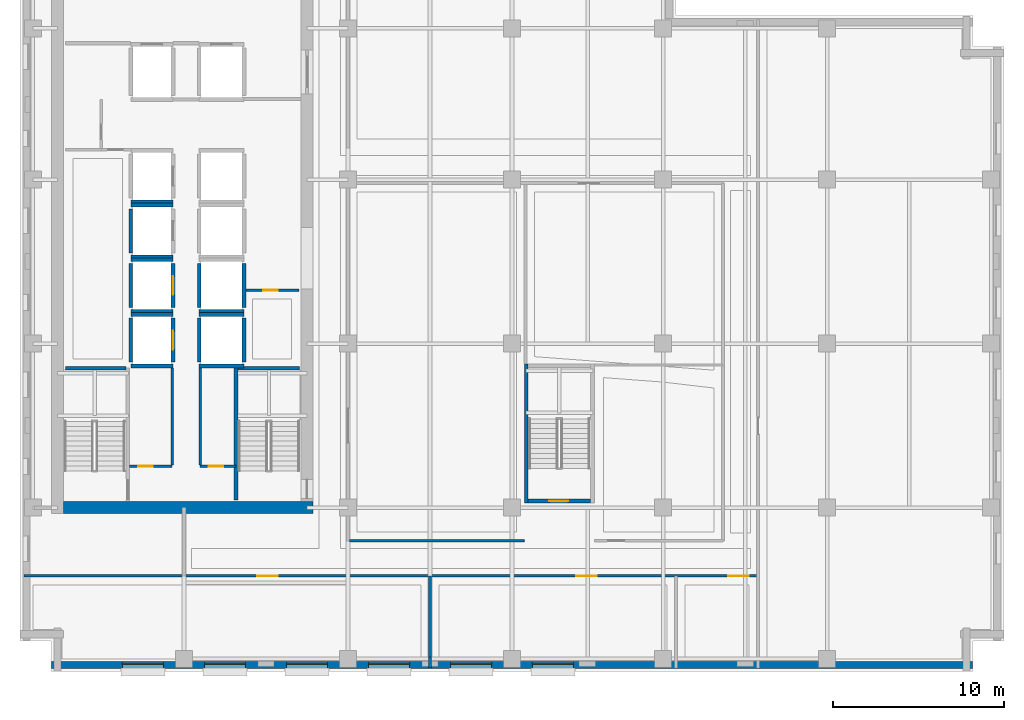
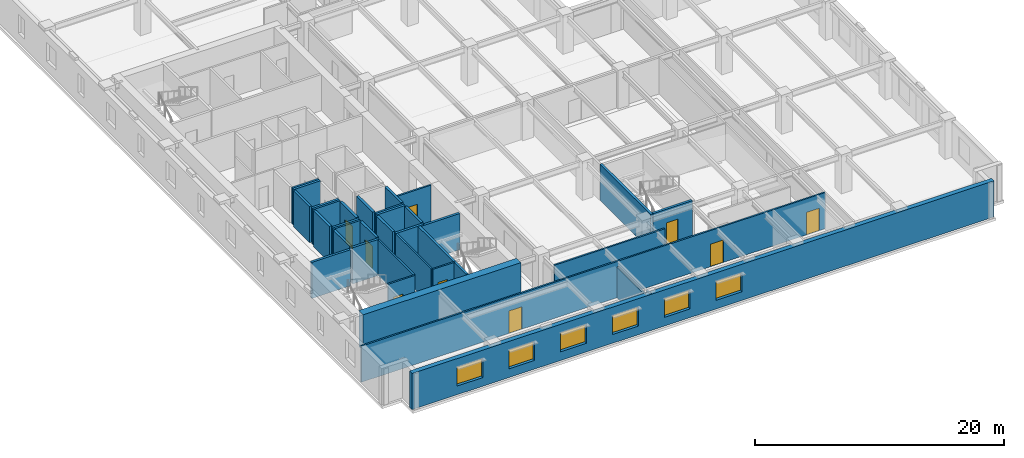
# One storey, part 4 of 12: 35 walls, 9 doors, 6 windows, 15 openings.
"""IFC4 building model written with IfcOpenShell, lengths in metres."""

import ifcopenshell
import ifcopenshell.guid

model = None  # the IFC model being written
_history = None  # IfcOwnerHistory: only IFC2X3 demands one
_inside = {}  # id of a spatial element -> (the spatial element, [elements in it])
_under = {}  # id of a project, library or spatial element -> (it, [spatial elements below it])
_declared = {}  # id of a project -> (the project, [libraries it declares])
_typed = {}  # id of a type object -> (the type object, [elements of that type])
_made_of = {}  # id of a material, layer set ... -> (it, [elements and type objects made of it])


def new_model(schema):
    """Start an empty IFC model of exactly this schema.

    Asked for "IFC4X3", IfcOpenShell would pick the latest addendum, in which some entities
    have other attributes; the version numbers below select the first issue.
    IFC2X3 requires an IfcOwnerHistory on every rooted entity: one is made here for all.
    """
    global model, _history
    if schema == "IFC4X3":
        model = ifcopenshell.file(schema_version=(4, 3, 0, 0))
    else:
        model = ifcopenshell.file(schema=schema)
    _inside.clear()
    _under.clear()
    _declared.clear()
    _typed.clear()
    _made_of.clear()
    _history = None
    if model.schema == "IFC2X3":
        org = make("IfcOrganization", Name="unknown")
        user = make(
            "IfcPersonAndOrganization",
            ThePerson=make("IfcPerson", FamilyName="unknown"),
            TheOrganization=org,
        )
        app = make(
            "IfcApplication",
            ApplicationDeveloper=org,
            Version="unknown",
            ApplicationFullName="unknown",
            ApplicationIdentifier="unknown",
        )
        _history = make(
            "IfcOwnerHistory",
            OwningUser=user,
            OwningApplication=app,
            ChangeAction="ADDED",
            CreationDate=0,
        )
    return model


def make(cls, **values):
    """One entity of the class cls with the attributes given. An attribute that is None is left unset."""
    return model.create_entity(
        cls, **{name: value for name, value in values.items() if value is not None}
    )


def rooted(cls, **values):
    """An entity with a GlobalId (a new one), such as an element, a storey or a relation."""
    return make(cls, GlobalId=ifcopenshell.guid.new(), OwnerHistory=_history, **values)


def si_unit(unit_type, name, prefix=None):
    """IfcSIUnit, for example si_unit("LENGTHUNIT", "METRE", prefix="MILLI")."""
    return make("IfcSIUnit", UnitType=unit_type, Prefix=prefix, Name=name)


def assignment(units):
    """IfcUnitAssignment: the units of a project."""
    return None if units is None else make("IfcUnitAssignment", Units=units)


def point(xyz):
    """IfcCartesianPoint."""
    return None if xyz is None else make("IfcCartesianPoint", Coordinates=xyz)


def direction(xyz):
    """IfcDirection."""
    return None if xyz is None else make("IfcDirection", DirectionRatios=xyz)


def frame(location, z_axis=None, x_axis=None):
    """IfcAxis2Placement3D, a coordinate frame: its origin and axes. An axis left out is left unset."""
    return make(
        "IfcAxis2Placement3D",
        Location=point(location),
        Axis=direction(z_axis),
        RefDirection=direction(x_axis),
    )


def frame_2d(location, x_axis=None):
    """IfcAxis2Placement2D, a coordinate frame in the plane: its origin and x axis."""
    return make(
        "IfcAxis2Placement2D", Location=point(location), RefDirection=direction(x_axis)
    )


def origin():
    """The frame at (0, 0, 0) with its axes left unset."""
    return frame((0.0, 0.0, 0.0))


def place(relative_to, where):
    """IfcLocalPlacement: puts the frame where relative to a parent placement (None: the world)."""
    return make(
        "IfcLocalPlacement", PlacementRelTo=relative_to, RelativePlacement=where
    )


def context(
    kind, dimensions, precision=None, world=None, true_north=None, identifier=None
):
    """IfcGeometricRepresentationContext, for example the 3D "Model" context."""
    return make(
        "IfcGeometricRepresentationContext",
        ContextIdentifier=identifier,
        ContextType=kind,
        CoordinateSpaceDimension=dimensions,
        Precision=precision,
        WorldCoordinateSystem=world,
        TrueNorth=true_north,
    )


def subcontext(parent, identifier, kind, view, scale=None):
    """IfcGeometricRepresentationSubContext, for example "Body" below "Model"."""
    return make(
        "IfcGeometricRepresentationSubContext",
        ContextIdentifier=identifier,
        ContextType=kind,
        ParentContext=parent,
        TargetScale=scale,
        TargetView=view,
    )


def project(units=None, contexts=None):
    """IfcProject with its units and contexts."""
    return rooted(
        "IfcProject",
        Name="project",
        RepresentationContexts=contexts,
        UnitsInContext=assignment(units),
    )


def spatial(cls, under=None, at=None, **own):
    """A site, building, storey or space (cls), placed at a placement, below another one or the project."""
    s = rooted(cls, ObjectPlacement=at, **own)
    if under is not None:
        _under.setdefault(under.id(), (under, []))[1].append(s)
    return s


def profile(cls, at=None, kind="AREA", **sizes):
    """A parametric profile (cls). Its sizes go by their IFC names, for example OverallWidth=200.0."""
    return make(cls, ProfileType=kind, Position=at, **sizes)


def rectangle(**sizes):
    """IfcRectangleProfileDef."""
    return profile("IfcRectangleProfileDef", **sizes)


def extrude(swept, where, along, depth):
    """IfcExtrudedAreaSolid: the profile swept, set in the frame where, extruded along a direction by depth."""
    return make(
        "IfcExtrudedAreaSolid",
        SweptArea=swept,
        Position=where,
        ExtrudedDirection=direction(along),
        Depth=depth,
    )


def shape(context_of_items, identifier, shape_type, items):
    """IfcShapeRepresentation: the items that make up one representation, for example the "Body"."""
    return make(
        "IfcShapeRepresentation",
        ContextOfItems=context_of_items,
        RepresentationIdentifier=identifier,
        RepresentationType=shape_type,
        Items=items,
    )


def material(Name=None, Category=None):
    """IfcMaterial."""
    return make("IfcMaterial", Name=Name, Category=Category)


def layer(
    of_material, thickness, ventilated=None, Name=None, Category=None, Priority=None
):
    """IfcMaterialLayer: one layer of a wall or slab, of a material (None: an air gap)."""
    return make(
        "IfcMaterialLayer",
        Material=of_material,
        LayerThickness=thickness,
        IsVentilated=ventilated,
        Name=Name,
        Category=Category,
        Priority=Priority,
    )


def layer_set(layers, Name=None):
    """IfcMaterialLayerSet."""
    return make("IfcMaterialLayerSet", MaterialLayers=layers, LayerSetName=Name)


def made_of(thing, what):
    """Note that an element or type object is made of a material, layer set ...; save() writes the relation."""
    if what is not None:
        _made_of.setdefault(what.id(), (what, []))[1].append(thing)
    return thing


def type_object(cls, material=None, **own):
    """A type object (cls), such as IfcWallType, which elements share."""
    return made_of(rooted(cls, **own), material)


def element(
    cls,
    number,
    at=None,
    inside=None,
    cuts=None,
    type_object=None,
    material=None,
    context=None,
    identifier="Body",
    shape_type=None,
    held_by="IfcProductDefinitionShape",
    body=None,
    shapes=None,
    **own,
):
    """One element of the class cls, such as IfcWall. Its Tag is "e" and its number.

    at: its placement. inside: the storey or other place that contains it. cuts: it is an
    opening in that element (IfcRelVoidsElement). A single representation is given by context,
    identifier, shape_type and body (its items); several are given by shapes. held_by: the class
    of the entity that holds the representations. save() writes the other relations.
    """
    e = rooted(cls, Tag="e%d" % number, ObjectPlacement=at, **own)
    if body is not None:
        shapes = [shape(context, identifier, shape_type, body)]
    if shapes is not None:
        e.Representation = make(held_by, Representations=shapes)
    if inside is not None:
        _inside.setdefault(inside.id(), (inside, []))[1].append(e)
    if cuts is not None:
        rooted(
            "IfcRelVoidsElement", RelatingBuildingElement=cuts, RelatedOpeningElement=e
        )
    if type_object is not None:
        _typed.setdefault(type_object.id(), (type_object, []))[1].append(e)
    return made_of(e, material)


def fill(opening, filler):
    """IfcRelFillsElement: the door or window that sits in an opening."""
    return rooted(
        "IfcRelFillsElement",
        RelatingOpeningElement=opening,
        RelatedBuildingElement=filler,
    )


def aggregate(whole, parts):
    """IfcRelAggregates: a whole, such as a stair, and the parts it consists of."""
    return rooted("IfcRelAggregates", RelatingObject=whole, RelatedObjects=parts)


def save(model, path):
    """Write the relations noted so far, then the file.

    IfcRelAggregates (storeys below a building ...), IfcRelContainedInSpatialStructure (elements
    in a storey), IfcRelDefinesByType, IfcRelAssociatesMaterial and IfcRelDeclares: one each for
    every whole, place, type object, material and project.
    """
    for whole, parts in _under.values():
        aggregate(whole, parts)
    for where, things in _inside.values():
        rooted(
            "IfcRelContainedInSpatialStructure",
            RelatedElements=things,
            RelatingStructure=where,
        )
    for kind, things in _typed.values():
        rooted("IfcRelDefinesByType", RelatedObjects=things, RelatingType=kind)
    for what, things in _made_of.values():
        rooted("IfcRelAssociatesMaterial", RelatedObjects=things, RelatingMaterial=what)
    for by, libraries in _declared.values():
        rooted("IfcRelDeclares", RelatingContext=by, RelatedDefinitions=libraries)
    model.write(path)


model = new_model("IFC4")

# Units and contexts
model_context = context("Model", 3, precision=1e-05, world=origin(), true_north=direction((0.0, 1.0)))
body_context = subcontext(model_context, "Body", "Model", "MODEL_VIEW")
ifc_project = project(units=[si_unit("LENGTHUNIT", "METRE"), si_unit("AREAUNIT", "SQUARE_METRE"), si_unit("VOLUMEUNIT", "CUBIC_METRE"), si_unit("PLANEANGLEUNIT", "RADIAN"), si_unit("MASSUNIT", "GRAM", prefix="KILO")], contexts=[model_context])

# Site, building, storey
site_placement = place(None, origin())
site = spatial("IfcSite", under=ifc_project, at=site_placement, CompositionType="ELEMENT")
building_placement = place(site_placement, origin())
building = spatial("IfcBuilding", under=site, at=building_placement, Name="Norrvale University Quadrangle", CompositionType="ELEMENT")
storey_placement = place(building_placement, frame((0.0, 0.0, 135.60009765625)))
storey = spatial("IfcBuildingStorey", under=building, at=storey_placement, Name="L34", CompositionType="ELEMENT", Elevation=135.60009765625)

# Wall, openings, windows
ifc_material_1 = material(Name="Buff Norman Clay Brick Masonry", Category="masonry")
ifc_layer_1 = layer(ifc_material_1, 0.419921875, Name="Buff Norman Clay Brick Masonry")
ifc_layer_set_1 = layer_set([ifc_layer_1], Name="Buff Norman Clay Brick Masonry")
wall_type_1 = type_object("IfcWallType", Name="Wall Buff Brick 420", PredefinedType="SOLIDWALL", material=ifc_layer_set_1)
wall_1_placement = place(storey_placement, frame((1.840087890625, 0.389892578125, 0.0), z_axis=(0.0, 0.0, 1.0), x_axis=(1.0, 0.0, 0.0)))
wall_1 = element("IfcWall", 1, at=wall_1_placement, inside=storey, type_object=wall_type_1, Name="Exterior Brick Facade Wall L34-01.1", PredefinedType="SOLIDWALL", context=body_context, shape_type="SweptSolid", body=[
    extrude(rectangle(XDim=53.919921875, YDim=0.419921875, at=frame_2d((26.9599609375, 0.0))), origin(), (0.0, 0.0, 1.0), 3.539794921875),
])
opening_1_placement = place(wall_1_placement, frame((4.159912109375, 0.0, 0.85009765625)))
opening_1 = element("IfcOpeningElement", 2, at=opening_1_placement, cuts=wall_1, Name="Opening W02", PredefinedType="OPENING", context=body_context, shape_type="SweptSolid", body=[
    extrude(rectangle(XDim=2.39990234375, YDim=1.85009765625, at=frame_2d((1.199951171875, 0.925048828125))), frame((0.0, 0.221923828125, 0.0), z_axis=(0.0, -1.0, 0.0), x_axis=(1.0, 0.0, 0.0)), (0.0, 0.0, 1.0), 0.44384765625),
])
opening_2_placement = place(wall_1_placement, frame((8.9599609375, 0.0, 0.85009765625)))
opening_2 = element("IfcOpeningElement", 3, at=opening_2_placement, cuts=wall_1, Name="Opening W02", PredefinedType="OPENING", context=body_context, shape_type="SweptSolid", body=[
    extrude(rectangle(XDim=2.39990234375, YDim=1.85009765625, at=frame_2d((1.199951171875, 0.925048828125))), frame((0.0, 0.221923828125, 0.0), z_axis=(0.0, -1.0, 0.0), x_axis=(1.0, 0.0, 0.0)), (0.0, 0.0, 1.0), 0.44384765625),
])
opening_3_placement = place(wall_1_placement, frame((13.760009765625, 0.0, 0.85009765625)))
opening_3 = element("IfcOpeningElement", 4, at=opening_3_placement, cuts=wall_1, Name="Opening W02", PredefinedType="OPENING", context=body_context, shape_type="SweptSolid", body=[
    extrude(rectangle(XDim=2.39990234375, YDim=1.85009765625, at=frame_2d((1.199951171875, 0.925048828125))), frame((0.0, 0.221923828125, 0.0), z_axis=(0.0, -1.0, 0.0), x_axis=(1.0, 0.0, 0.0)), (0.0, 0.0, 1.0), 0.44384765625),
])
opening_4_placement = place(wall_1_placement, frame((18.56005859375, 0.0, 0.85009765625)))
opening_4 = element("IfcOpeningElement", 5, at=opening_4_placement, cuts=wall_1, Name="Opening W02", PredefinedType="OPENING", context=body_context, shape_type="SweptSolid", body=[
    extrude(rectangle(XDim=2.39990234375, YDim=1.85009765625, at=frame_2d((1.199951171875, 0.925048828125))), frame((0.0, 0.221923828125, 0.0), z_axis=(0.0, -1.0, 0.0), x_axis=(1.0, 0.0, 0.0)), (0.0, 0.0, 1.0), 0.44384765625),
])
opening_5_placement = place(wall_1_placement, frame((23.360107421875, 0.0, 0.85009765625)))
opening_5 = element("IfcOpeningElement", 6, at=opening_5_placement, cuts=wall_1, Name="Opening W02", PredefinedType="OPENING", context=body_context, shape_type="SweptSolid", body=[
    extrude(rectangle(XDim=2.39990234375, YDim=1.85009765625, at=frame_2d((1.199951171875, 0.925048828125))), frame((0.0, 0.221923828125, 0.0), z_axis=(0.0, -1.0, 0.0), x_axis=(1.0, 0.0, 0.0)), (0.0, 0.0, 1.0), 0.44384765625),
])
opening_6_placement = place(wall_1_placement, frame((28.159912109375, 0.0, 0.85009765625)))
opening_6 = element("IfcOpeningElement", 7, at=opening_6_placement, cuts=wall_1, Name="Opening W02", PredefinedType="OPENING", context=body_context, shape_type="SweptSolid", body=[
    extrude(rectangle(XDim=2.39990234375, YDim=1.85009765625, at=frame_2d((1.199951171875, 0.925048828125))), frame((0.0, 0.221923828125, 0.0), z_axis=(0.0, -1.0, 0.0), x_axis=(1.0, 0.0, 0.0)), (0.0, 0.0, 1.0), 0.44384765625),
])
ifc_material_2 = material(Name="Triple Low-E Argon Glazing", Category="glass")
window_type = type_object("IfcWindowType", Name="Window Academic 2400x2300", PartitioningType="TRIPLE_PANEL_VERTICAL", PredefinedType="WINDOW", material=ifc_material_2)
window_1_placement = place(opening_1_placement, origin())
window_1 = element("IfcWindow", 8, at=window_1_placement, inside=storey, type_object=window_type, Name="Window Academic 2400x2300 WIN-L34-E01-1-01", OverallHeight=1.85009765625, OverallWidth=2.39990234375, PartitioningType="TRIPLE_PANEL_VERTICAL", PredefinedType="WINDOW", context=body_context, shape_type="SweptSolid", body=[
    extrude(rectangle(XDim=2.39990234375, YDim=1.85009765625, at=frame_2d((1.199951171875, 0.925048828125))), frame((0.0, 0.110107421875, 0.0), z_axis=(0.0, -1.0, 0.0), x_axis=(1.0, 0.0, 0.0)), (0.0, 0.0, 1.0), 0.06005859375),
])
fill(opening_1, window_1)
window_2_placement = place(opening_2_placement, origin())
window_2 = element("IfcWindow", 9, at=window_2_placement, inside=storey, type_object=window_type, Name="Window Academic 2400x2300 WIN-L34-E01-1-02", OverallHeight=1.85009765625, OverallWidth=2.39990234375, PartitioningType="TRIPLE_PANEL_VERTICAL", PredefinedType="WINDOW", context=body_context, shape_type="SweptSolid", body=[
    extrude(rectangle(XDim=2.39990234375, YDim=1.85009765625, at=frame_2d((1.199951171875, 0.925048828125))), frame((0.0, 0.110107421875, 0.0), z_axis=(0.0, -1.0, 0.0), x_axis=(1.0, 0.0, 0.0)), (0.0, 0.0, 1.0), 0.06005859375),
])
fill(opening_2, window_2)
window_3_placement = place(opening_3_placement, origin())
window_3 = element("IfcWindow", 10, at=window_3_placement, inside=storey, type_object=window_type, Name="Window Academic 2400x2300 WIN-L34-E01-1-03", OverallHeight=1.85009765625, OverallWidth=2.39990234375, PartitioningType="TRIPLE_PANEL_VERTICAL", PredefinedType="WINDOW", context=body_context, shape_type="SweptSolid", body=[
    extrude(rectangle(XDim=2.39990234375, YDim=1.85009765625, at=frame_2d((1.199951171875, 0.925048828125))), frame((0.0, 0.110107421875, 0.0), z_axis=(0.0, -1.0, 0.0), x_axis=(1.0, 0.0, 0.0)), (0.0, 0.0, 1.0), 0.06005859375),
])
fill(opening_3, window_3)
window_4_placement = place(opening_4_placement, origin())
window_4 = element("IfcWindow", 11, at=window_4_placement, inside=storey, type_object=window_type, Name="Window Academic 2400x2300 WIN-L34-E01-1-04", OverallHeight=1.85009765625, OverallWidth=2.39990234375, PartitioningType="TRIPLE_PANEL_VERTICAL", PredefinedType="WINDOW", context=body_context, shape_type="SweptSolid", body=[
    extrude(rectangle(XDim=2.39990234375, YDim=1.85009765625, at=frame_2d((1.199951171875, 0.925048828125))), frame((0.0, 0.110107421875, 0.0), z_axis=(0.0, -1.0, 0.0), x_axis=(1.0, 0.0, 0.0)), (0.0, 0.0, 1.0), 0.06005859375),
])
fill(opening_4, window_4)
window_5_placement = place(opening_5_placement, origin())
window_5 = element("IfcWindow", 12, at=window_5_placement, inside=storey, type_object=window_type, Name="Window Academic 2400x2300 WIN-L34-E01-1-05", OverallHeight=1.85009765625, OverallWidth=2.39990234375, PartitioningType="TRIPLE_PANEL_VERTICAL", PredefinedType="WINDOW", context=body_context, shape_type="SweptSolid", body=[
    extrude(rectangle(XDim=2.39990234375, YDim=1.85009765625, at=frame_2d((1.199951171875, 0.925048828125))), frame((0.0, 0.110107421875, 0.0), z_axis=(0.0, -1.0, 0.0), x_axis=(1.0, 0.0, 0.0)), (0.0, 0.0, 1.0), 0.06005859375),
])
fill(opening_5, window_5)
window_6_placement = place(opening_6_placement, origin())
window_6 = element("IfcWindow", 13, at=window_6_placement, inside=storey, type_object=window_type, Name="Window Academic 2400x2300 WIN-L34-E01-1-06", OverallHeight=1.85009765625, OverallWidth=2.39990234375, PartitioningType="TRIPLE_PANEL_VERTICAL", PredefinedType="WINDOW", context=body_context, shape_type="SweptSolid", body=[
    extrude(rectangle(XDim=2.39990234375, YDim=1.85009765625, at=frame_2d((1.199951171875, 0.925048828125))), frame((0.0, 0.110107421875, 0.0), z_axis=(0.0, -1.0, 0.0), x_axis=(1.0, 0.0, 0.0)), (0.0, 0.0, 1.0), 0.06005859375),
])
fill(opening_6, window_6)

# Wall
ifc_material_3 = material(Name="Concrete C60/75", Category="concrete")
ifc_layer_2 = layer(ifc_material_3, 0.699951171875, Name="Concrete C60/75")
ifc_layer_set_2 = layer_set([ifc_layer_2], Name="Concrete C60/75")
wall_type_2 = type_object("IfcWallType", Name="Wall Core 700", PredefinedType="SHEAR", material=ifc_layer_set_2)
wall_2_placement = place(storey_placement, frame((2.550048828125, 9.60009765625, 0.0), z_axis=(0.0, 0.0, 1.0), x_axis=(1.0, 0.0, 0.0)))
element("IfcWall", 14, at=wall_2_placement, inside=storey, type_object=wall_type_2, Name="Tower Core Shear Wall L34-S", PredefinedType="SHEAR", context=body_context, shape_type="SweptSolid", body=[
    extrude(rectangle(XDim=14.599853515625, YDim=0.699951171875, at=frame_2d((7.2998046875, 0.0))), origin(), (0.0, 0.0, 1.0), 3.539794921875),
])

# Wall, opening, door
ifc_material_4 = material(Name="Fire-Rated Gypsum Stud Partition")
ifc_layer_3 = layer(ifc_material_4, 0.14990234375, Name="Fire-Rated Gypsum Stud Partition")
ifc_layer_set_3 = layer_set([ifc_layer_3], Name="Fire-Rated Gypsum Stud Partition")
wall_type_3 = type_object("IfcWallType", Name="Wall Gypsum Corridor 150", PredefinedType="PARTITIONING", material=ifc_layer_set_3)
wall_3_placement = place(storey_placement, frame((6.419921875, 12.02001953125, 0.0), z_axis=(0.0, 0.0, 1.0), x_axis=(1.0, 0.0, 0.0)))
wall_3 = element("IfcWall", 15, at=wall_3_placement, inside=storey, type_object=wall_type_3, Name="Interior Partition WL-L34-SC-NL", PredefinedType="PARTITIONING", context=body_context, shape_type="SweptSolid", body=[
    extrude(rectangle(XDim=2.47998046875, YDim=0.14990234375, at=frame_2d((1.239990234375, 0.0))), origin(), (0.0, 0.0, 1.0), 3.539794921875),
])
opening_7_placement = place(wall_3_placement, frame((0.5, 0.0, 0.0)))
opening_7 = element("IfcOpeningElement", 16, at=opening_7_placement, cuts=wall_3, Name="Opening D10", PredefinedType="OPENING", context=body_context, shape_type="SweptSolid", body=[
    extrude(rectangle(XDim=0.85009765625, YDim=2.10009765625, at=frame_2d((0.425048828125, 1.050048828125))), frame((0.0, 0.0869140625, 0.0), z_axis=(0.0, -1.0, 0.0), x_axis=(1.0, 0.0, 0.0)), (0.0, 0.0, 1.0), 0.173828125),
])
ifc_material_5 = material(Name="Hollow Steel 350W Riser Fire Door", Category="steel")
door_type_1 = type_object("IfcDoorType", Name="Door Riser 850x2100", OperationType="NOTDEFINED", PredefinedType="DOOR", material=ifc_material_5)
door_1_placement = place(opening_7_placement, origin())
door_1 = element("IfcDoor", 17, at=door_1_placement, inside=storey, type_object=door_type_1, Name="Door Riser 850x2100 DR-L34-ELEC", OperationType="SINGLE_SWING_LEFT", OverallHeight=2.10009765625, OverallWidth=0.85009765625, PredefinedType="DOOR", context=body_context, shape_type="SweptSolid", body=[
    extrude(rectangle(XDim=0.85009765625, YDim=2.10009765625, at=frame_2d((0.425048828125, 1.050048828125))), frame((0.0, 0.02490234375, 0.0), z_axis=(0.0, -1.0, 0.0), x_axis=(1.0, 0.0, 0.0)), (0.0, 0.0, 1.0), 0.050048828125),
])
fill(opening_7, door_1)

wall_4_placement = place(storey_placement, frame((10.550048828125, 12.02001953125, 0.0), z_axis=(0.0, 0.0, 1.0), x_axis=(1.0, 0.0, 0.0)))
wall_4 = element("IfcWall", 18, at=wall_4_placement, inside=storey, type_object=wall_type_3, Name="Interior Partition WL-L34-SC-NR", PredefinedType="PARTITIONING", context=body_context, shape_type="SweptSolid", body=[
    extrude(rectangle(XDim=2.079833984375, YDim=0.14990234375, at=frame_2d((1.0400390625, 0.0))), origin(), (0.0, 0.0, 1.0), 3.539794921875),
])
opening_8_placement = place(wall_4_placement, frame((0.5, 0.0, 0.0)))
opening_8 = element("IfcOpeningElement", 19, at=opening_8_placement, cuts=wall_4, Name="Opening D10", PredefinedType="OPENING", context=body_context, shape_type="SweptSolid", body=[
    extrude(rectangle(XDim=0.85009765625, YDim=2.10009765625, at=frame_2d((0.425048828125, 1.050048828125))), frame((0.0, 0.0869140625, 0.0), z_axis=(0.0, -1.0, 0.0), x_axis=(1.0, 0.0, 0.0)), (0.0, 0.0, 1.0), 0.173828125),
])
door_2_placement = place(opening_8_placement, origin())
door_2 = element("IfcDoor", 20, at=door_2_placement, inside=storey, type_object=door_type_1, Name="Door Riser 850x2100 DR-L34-IDF", OperationType="SINGLE_SWING_RIGHT", OverallHeight=2.10009765625, OverallWidth=0.85009765625, PredefinedType="DOOR", context=body_context, shape_type="SweptSolid", body=[
    extrude(rectangle(XDim=0.85009765625, YDim=2.10009765625, at=frame_2d((0.425048828125, 1.050048828125))), frame((0.0, 0.02490234375, 0.0), z_axis=(0.0, -1.0, 0.0), x_axis=(1.0, 0.0, 0.0)), (0.0, 0.0, 1.0), 0.050048828125),
])
fill(opening_8, door_2)

# Walls
for number, where, z_axis, x_axis, name in (
    (21, (8.89990234375, 12.094970703125, 0.0), (0.0, 0.0, 1.0), (0.0, 1.0, 0.0), "Interior Partition WL-L34-SC-WL"),
    (22, (10.550048828125, 12.094970703125, 0.0), (0.0, 0.0, 1.0), (0.0, 1.0, 0.0), "Interior Partition WL-L34-SC-WR"),
):
    element("IfcWall", number, at=place(storey_placement, frame(where, z_axis=z_axis, x_axis=x_axis)), inside=storey, type_object=wall_type_3, Name=name, PredefinedType="PARTITIONING", context=body_context, shape_type="SweptSolid", body=[
        extrude(rectangle(XDim=5.679931640625, YDim=0.14990234375, at=frame_2d((2.83984375, 0.0))), origin(), (0.0, 0.0, 1.0), 3.539794921875),
    ])

# Wall, opening, door
wall_5_placement = place(storey_placement, frame((13.22509765625, 22.320068359375, 0.0), z_axis=(0.0, 0.0, 1.0), x_axis=(1.0, 0.0, 0.0)))
wall_5 = element("IfcWall", 23, at=wall_5_placement, inside=storey, type_object=wall_type_3, Name="Interior Partition WL-L34-JAN-N", PredefinedType="PARTITIONING", context=body_context, shape_type="SweptSolid", body=[
    extrude(rectangle(XDim=3.119873046875, YDim=0.14990234375, at=frame_2d((1.56005859375, 0.0))), origin(), (0.0, 0.0, 1.0), 3.539794921875),
])
opening_9_placement = place(wall_5_placement, frame((1.0, 0.0, 0.0)))
opening_9 = element("IfcOpeningElement", 24, at=opening_9_placement, cuts=wall_5, Name="Opening D10", PredefinedType="OPENING", context=body_context, shape_type="SweptSolid", body=[
    extrude(rectangle(XDim=0.85009765625, YDim=2.10009765625, at=frame_2d((0.425048828125, 1.050048828125))), frame((0.0, 0.0869140625, 0.0), z_axis=(0.0, -1.0, 0.0), x_axis=(1.0, 0.0, 0.0)), (0.0, 0.0, 1.0), 0.173828125),
])
door_3_placement = place(opening_9_placement, origin())
door_3 = element("IfcDoor", 25, at=door_3_placement, inside=storey, type_object=door_type_1, Name="Door Riser 850x2100 DR-L34-JAN", OperationType="SINGLE_SWING_LEFT", OverallHeight=2.10009765625, OverallWidth=0.85009765625, PredefinedType="DOOR", context=body_context, shape_type="SweptSolid", body=[
    extrude(rectangle(XDim=0.85009765625, YDim=2.10009765625, at=frame_2d((0.425048828125, 1.050048828125))), frame((0.0, 0.02490234375, 0.0), z_axis=(0.0, -1.0, 0.0), x_axis=(1.0, 0.0, 0.0)), (0.0, 0.0, 1.0), 0.050048828125),
])
fill(opening_9, door_3)

# Wall, openings, doors
wall_6_placement = place(storey_placement, frame((0.219970703125, 5.60009765625, 0.0), z_axis=(0.0, 0.0, 1.0), x_axis=(1.0, 0.0, 0.0)))
wall_6 = element("IfcWall", 26, at=wall_6_placement, inside=storey, type_object=wall_type_3, Name="Interior Partition WL-L34-SCW", PredefinedType="PARTITIONING", context=body_context, shape_type="SweptSolid", body=[
    extrude(rectangle(XDim=42.97998046875, YDim=0.14990234375, at=frame_2d((21.489990234375, 0.0))), origin(), (0.0, 0.0, 1.0), 3.539794921875),
])
opening_10_placement = place(wall_6_placement, frame((13.679931640625, 0.0, 0.0)))
opening_10 = element("IfcOpeningElement", 27, at=opening_10_placement, cuts=wall_6, Name="Opening D05", PredefinedType="OPENING", context=body_context, shape_type="SweptSolid", body=[
    extrude(rectangle(XDim=1.199951171875, YDim=2.199951171875, at=frame_2d((0.60009765625, 1.10009765625))), frame((0.0, 0.0869140625, 0.0), z_axis=(0.0, -1.0, 0.0), x_axis=(1.0, 0.0, 0.0)), (0.0, 0.0, 1.0), 0.173828125),
])
opening_11_placement = place(wall_6_placement, frame((32.330078125, 0.0, 0.0)))
opening_11 = element("IfcOpeningElement", 28, at=opening_11_placement, cuts=wall_6, Name="Opening D05", PredefinedType="OPENING", context=body_context, shape_type="SweptSolid", body=[
    extrude(rectangle(XDim=1.199951171875, YDim=2.199951171875, at=frame_2d((0.60009765625, 1.10009765625))), frame((0.0, 0.0869140625, 0.0), z_axis=(0.0, -1.0, 0.0), x_axis=(1.0, 0.0, 0.0)), (0.0, 0.0, 1.0), 0.173828125),
])
opening_12_placement = place(wall_6_placement, frame((41.22998046875, 0.0, 0.0)))
opening_12 = element("IfcOpeningElement", 29, at=opening_12_placement, cuts=wall_6, Name="Opening D05", PredefinedType="OPENING", context=body_context, shape_type="SweptSolid", body=[
    extrude(rectangle(XDim=1.199951171875, YDim=2.199951171875, at=frame_2d((0.60009765625, 1.10009765625))), frame((0.0, 0.0869140625, 0.0), z_axis=(0.0, -1.0, 0.0), x_axis=(1.0, 0.0, 0.0)), (0.0, 0.0, 1.0), 0.173828125),
])
ifc_material_6 = material(Name="Acoustic Oak Classroom Door", Category="wood")
door_type_2 = type_object("IfcDoorType", Name="Door Classroom 1200x2200", OperationType="NOTDEFINED", PredefinedType="DOOR", material=ifc_material_6)
door_4_placement = place(opening_10_placement, origin())
door_4 = element("IfcDoor", 30, at=door_4_placement, inside=storey, type_object=door_type_2, Name="Door Classroom 1200x2200 DR-L34-S01", OperationType="SINGLE_SWING_LEFT", OverallHeight=2.199951171875, OverallWidth=1.199951171875, PredefinedType="DOOR", context=body_context, shape_type="SweptSolid", body=[
    extrude(rectangle(XDim=1.199951171875, YDim=2.199951171875, at=frame_2d((0.60009765625, 1.10009765625))), frame((0.0, 0.02490234375, 0.0), z_axis=(0.0, -1.0, 0.0), x_axis=(1.0, 0.0, 0.0)), (0.0, 0.0, 1.0), 0.050048828125),
])
fill(opening_10, door_4)
door_5_placement = place(opening_11_placement, origin())
door_5 = element("IfcDoor", 31, at=door_5_placement, inside=storey, type_object=door_type_2, Name="Door Classroom 1200x2200 DR-L34-S02", OperationType="SINGLE_SWING_RIGHT", OverallHeight=2.199951171875, OverallWidth=1.199951171875, PredefinedType="DOOR", context=body_context, shape_type="SweptSolid", body=[
    extrude(rectangle(XDim=1.199951171875, YDim=2.199951171875, at=frame_2d((0.60009765625, 1.10009765625))), frame((0.0, 0.02490234375, 0.0), z_axis=(0.0, -1.0, 0.0), x_axis=(1.0, 0.0, 0.0)), (0.0, 0.0, 1.0), 0.050048828125),
])
fill(opening_11, door_5)
door_6_placement = place(opening_12_placement, origin())
door_6 = element("IfcDoor", 32, at=door_6_placement, inside=storey, type_object=door_type_2, Name="Door Classroom 1200x2200 DR-L34-S03", OperationType="SINGLE_SWING_LEFT", OverallHeight=2.199951171875, OverallWidth=1.199951171875, PredefinedType="DOOR", context=body_context, shape_type="SweptSolid", body=[
    extrude(rectangle(XDim=1.199951171875, YDim=2.199951171875, at=frame_2d((0.60009765625, 1.10009765625))), frame((0.0, 0.02490234375, 0.0), z_axis=(0.0, -1.0, 0.0), x_axis=(1.0, 0.0, 0.0)), (0.0, 0.0, 1.0), 0.050048828125),
])
fill(opening_12, door_6)

# Walls
wall_7_placement = place(storey_placement, frame((19.280029296875, 7.64990234375, 0.0), z_axis=(0.0, 0.0, 1.0), x_axis=(1.0, 0.0, 0.0)))
element("IfcWall", 33, at=wall_7_placement, inside=storey, type_object=wall_type_3, Name="Interior Partition WL-L34-ISLS1", PredefinedType="PARTITIONING", context=body_context, shape_type="SweptSolid", body=[
    extrude(rectangle(XDim=10.244873046875, YDim=0.14990234375, at=frame_2d((5.12255859375, 0.0))), origin(), (0.0, 0.0, 1.0), 3.539794921875),
])
ifc_material_7 = material(Name="Sanitary Chase Gypsum Partition")
ifc_layer_4 = layer(ifc_material_7, 0.1650390625, Name="Sanitary Chase Gypsum Partition")
ifc_layer_set_4 = layer_set([ifc_layer_4], Name="Sanitary Chase Gypsum Partition")
wall_type_4 = type_object("IfcWallType", Name="Wall Gypsum Sanitary 165", PredefinedType="PLUMBINGWALL", material=ifc_layer_set_4)
wall_8_placement = place(storey_placement, frame((24.0, 0.219970703125, 0.0), z_axis=(0.0, 0.0, 1.0), x_axis=(0.0, 1.0, 0.0)))
element("IfcWall", 34, at=wall_8_placement, inside=storey, type_object=wall_type_4, Name="Interior Partition WL-L34-SP01", PredefinedType="PLUMBINGWALL", context=body_context, shape_type="SweptSolid", body=[
    extrude(rectangle(XDim=0.635986328125, YDim=0.1650390625, at=frame_2d((0.31787109375, 0.0))), origin(), (0.0, 0.0, 1.0), 3.539794921875),
])
wall_9_placement = place(storey_placement, frame((24.0, 0.85595703125, 0.0), z_axis=(0.0, 0.0, 1.0), x_axis=(0.0, 1.0, 0.0)))
element("IfcWall", 35, at=wall_9_placement, inside=storey, type_object=wall_type_4, Name="Interior Partition WL-L34-SP01-B2", PredefinedType="PLUMBINGWALL", context=body_context, shape_type="SweptSolid", body=[
    extrude(rectangle(XDim=4.744140625, YDim=0.1650390625, at=frame_2d((2.3720703125, 0.0))), origin(), (0.0, 0.0, 1.0), 3.0068359375),
])
ifc_material_8 = material(Name="Concrete Blockwork 20 MPa Fire Shaft", Category="masonry")
ifc_layer_5 = layer(ifc_material_8, 0.219970703125, Name="Concrete Blockwork 20 MPa Fire Shaft")
ifc_layer_set_5 = layer_set([ifc_layer_5], Name="Concrete Blockwork 20 MPa Fire Shaft")
wall_type_5 = type_object("IfcWallType", Name="Wall Shaft 220", PredefinedType="SOLIDWALL", material=ifc_layer_set_5)
wall_10_placement = place(storey_placement, frame((2.64990234375, 17.760009765625, 0.0), z_axis=(0.0, 0.0, 1.0), x_axis=(1.0, 0.0, 0.0)))
element("IfcWall", 36, at=wall_10_placement, inside=storey, type_object=wall_type_5, Name="Stair ST-01 North Shaft Wall L34", PredefinedType="SOLIDWALL", context=body_context, shape_type="SweptSolid", body=[
    extrude(rectangle(XDim=3.550048828125, YDim=0.219970703125, at=frame_2d((1.77490234375, 0.0))), origin(), (0.0, 0.0, 1.0), 3.539794921875),
])
wall_11_placement = place(storey_placement, frame((12.639892578125, 10.050048828125, 0.0), z_axis=(0.0, 0.0, 1.0), x_axis=(0.0, 1.0, 0.0)))
element("IfcWall", 37, at=wall_11_placement, inside=storey, type_object=wall_type_5, Name="Stair ST-03 West Shaft Wall L34", PredefinedType="SOLIDWALL", context=body_context, shape_type="SweptSolid", body=[
    extrude(rectangle(XDim=7.7099609375, YDim=0.219970703125, at=frame_2d((3.85498046875, 0.0))), origin(), (0.0, 0.0, 1.0), 3.539794921875),
])
wall_12_placement = place(storey_placement, frame((12.75, 17.760009765625, 0.0), z_axis=(0.0, 0.0, 1.0), x_axis=(1.0, 0.0, 0.0)))
element("IfcWall", 38, at=wall_12_placement, inside=storey, type_object=wall_type_5, Name="Stair ST-03 North Shaft Wall L34", PredefinedType="SOLIDWALL", context=body_context, shape_type="SweptSolid", body=[
    extrude(rectangle(XDim=3.60009765625, YDim=0.219970703125, at=frame_2d((1.800048828125, 0.0))), origin(), (0.0, 0.0, 1.0), 3.539794921875),
])

# Wall, opening, door
wall_13_placement = place(storey_placement, frame((29.75, 9.989990234375, 0.0), z_axis=(0.0, 0.0, 1.0), x_axis=(1.0, 0.0, 0.0)))
wall_13 = element("IfcWall", 39, at=wall_13_placement, inside=storey, type_object=wall_type_5, Name="Stair ST-04 South Shaft Wall L34", PredefinedType="SOLIDWALL", context=body_context, shape_type="SweptSolid", body=[
    extrude(rectangle(XDim=3.64990234375, YDim=0.219970703125, at=frame_2d((1.824951171875, 0.0))), origin(), (0.0, 0.0, 1.0), 3.539794921875),
])
opening_13_placement = place(wall_13_placement, frame((1.239990234375, 0.0, 0.0)))
opening_13 = element("IfcOpeningElement", 40, at=opening_13_placement, cuts=wall_13, Name="Opening D02", PredefinedType="OPENING", context=body_context, shape_type="SweptSolid", body=[
    extrude(rectangle(XDim=1.10009765625, YDim=2.199951171875, at=frame_2d((0.550048828125, 1.10009765625))), frame((0.0, 0.1220703125, 0.0), z_axis=(0.0, -1.0, 0.0), x_axis=(1.0, 0.0, 0.0)), (0.0, 0.0, 1.0), 0.243896484375),
])
ifc_material_9 = material(Name="Hollow Steel 350W Fire Door", Category="steel")
door_type_3 = type_object("IfcDoorType", Name="Door Stair Exit 1100x2200", OperationType="NOTDEFINED", PredefinedType="DOOR", material=ifc_material_9)
door_7_placement = place(opening_13_placement, origin())
door_7 = element("IfcDoor", 41, at=door_7_placement, inside=storey, type_object=door_type_3, Name="Door Stair Exit 1100x2200 DR-L34-ST04", OperationType="SINGLE_SWING_LEFT", OverallHeight=2.199951171875, OverallWidth=1.10009765625, PredefinedType="DOOR", context=body_context, shape_type="SweptSolid", body=[
    extrude(rectangle(XDim=1.10009765625, YDim=2.199951171875, at=frame_2d((0.550048828125, 1.10009765625))), frame((0.0, 0.02490234375, 0.0), z_axis=(0.0, -1.0, 0.0), x_axis=(1.0, 0.0, 0.0)), (0.0, 0.0, 1.0), 0.050048828125),
])
fill(opening_13, door_7)

# Walls
wall_14_placement = place(storey_placement, frame((29.639892578125, 9.8798828125, 0.0), z_axis=(0.0, 0.0, 1.0), x_axis=(0.0, 1.0, 0.0)))
element("IfcWall", 42, at=wall_14_placement, inside=storey, type_object=wall_type_5, Name="Stair ST-04 West Shaft Wall L34", PredefinedType="SOLIDWALL", context=body_context, shape_type="SweptSolid", body=[
    extrude(rectangle(XDim=8.14013671875, YDim=0.219970703125, at=frame_2d((4.070068359375, 0.0))), origin(), (0.0, 0.0, 1.0), 3.539794921875),
])
wall_15_placement = place(storey_placement, frame((6.489990234375, 18.110107421875, 0.0), z_axis=(0.0, 0.0, 1.0), x_axis=(0.0, 1.0, 0.0)))
element("IfcWall", 43, at=wall_15_placement, inside=storey, type_object=wall_type_5, Name="Hoistway PL-01 West Wall L34", PredefinedType="SOLIDWALL", context=body_context, shape_type="SweptSolid", body=[
    extrude(rectangle(XDim=2.579833984375, YDim=0.219970703125, at=frame_2d((1.2900390625, 0.0))), origin(), (0.0, 0.0, 1.0), 3.539794921875),
])

# Wall, opening, door
wall_16_placement = place(storey_placement, frame((8.9599609375, 18.110107421875, 0.0), z_axis=(0.0, 0.0, 1.0), x_axis=(0.0, 1.0, 0.0)))
wall_16 = element("IfcWall", 44, at=wall_16_placement, inside=storey, type_object=wall_type_5, Name="Hoistway PL-01 East Wall L34", PredefinedType="SOLIDWALL", context=body_context, shape_type="SweptSolid", body=[
    extrude(rectangle(XDim=2.579833984375, YDim=0.219970703125, at=frame_2d((1.2900390625, 0.0))), origin(), (0.0, 0.0, 1.0), 3.539794921875),
])
opening_14_placement = place(wall_16_placement, frame((0.739990234375, 0.0, 0.0)))
opening_14 = element("IfcOpeningElement", 45, at=opening_14_placement, cuts=wall_16, Name="Opening LD1", PredefinedType="OPENING", context=body_context, shape_type="SweptSolid", body=[
    extrude(rectangle(XDim=1.10009765625, YDim=2.199951171875, at=frame_2d((0.550048828125, 1.10009765625))), frame((0.0, 0.1220703125, 0.0), z_axis=(0.0, -1.0, 0.0), x_axis=(1.0, 0.0, 0.0)), (0.0, 0.0, 1.0), 0.243896484375),
])
ifc_material_10 = material(Name="Stainless Steel 316L Lift Landing Door", Category="steel")
door_type_4 = type_object("IfcDoorType", Name="Door Lift Landing 1100x2200", OperationType="DOUBLE_DOOR_SLIDING", PredefinedType="DOOR", material=ifc_material_10)
door_8_placement = place(opening_14_placement, origin())
door_8 = element("IfcDoor", 46, at=door_8_placement, inside=storey, type_object=door_type_4, Name="Elevator Landing Door DR-L34-PL-01", OperationType="DOUBLE_DOOR_SLIDING", OverallHeight=2.199951171875, OverallWidth=1.10009765625, PredefinedType="DOOR", context=body_context, shape_type="SweptSolid", body=[
    extrude(rectangle(XDim=1.10009765625, YDim=2.199951171875, at=frame_2d((0.550048828125, 1.10009765625))), frame((0.0, 0.02490234375, 0.0), z_axis=(0.0, -1.0, 0.0), x_axis=(1.0, 0.0, 0.0)), (0.0, 0.0, 1.0), 0.050048828125),
])
fill(opening_14, door_8)

# Walls
for number, where, z_axis, x_axis, name in (
    (47, (6.489990234375, 17.889892578125, 0.0), (0.0, 0.0, 1.0), (1.0, 0.0, 0.0), "Hoistway PL-01 South Wall L34"),
    (48, (6.489990234375, 20.909912109375, 0.0), (0.0, 0.0, 1.0), (1.0, 0.0, 0.0), "Hoistway PL-01 North Wall L34"),
):
    element("IfcWall", number, at=place(storey_placement, frame(where, z_axis=z_axis, x_axis=x_axis)), inside=storey, type_object=wall_type_5, Name=name, PredefinedType="SOLIDWALL", context=body_context, shape_type="SweptSolid", body=[
        extrude(rectangle(XDim=2.469970703125, YDim=0.219970703125, at=frame_2d((1.23486328125, 0.0))), origin(), (0.0, 0.0, 1.0), 3.539794921875),
    ])
wall_17_placement = place(storey_placement, frame((6.489990234375, 21.31005859375, 0.0), z_axis=(0.0, 0.0, 1.0), x_axis=(0.0, 1.0, 0.0)))
element("IfcWall", 49, at=wall_17_placement, inside=storey, type_object=wall_type_5, Name="Hoistway PL-02 West Wall L34", PredefinedType="SOLIDWALL", context=body_context, shape_type="SweptSolid", body=[
    extrude(rectangle(XDim=2.579833984375, YDim=0.219970703125, at=frame_2d((1.2900390625, 0.0))), origin(), (0.0, 0.0, 1.0), 3.539794921875),
])

# Wall, opening, door
wall_18_placement = place(storey_placement, frame((8.9599609375, 21.31005859375, 0.0), z_axis=(0.0, 0.0, 1.0), x_axis=(0.0, 1.0, 0.0)))
wall_18 = element("IfcWall", 50, at=wall_18_placement, inside=storey, type_object=wall_type_5, Name="Hoistway PL-02 East Wall L34", PredefinedType="SOLIDWALL", context=body_context, shape_type="SweptSolid", body=[
    extrude(rectangle(XDim=2.579833984375, YDim=0.219970703125, at=frame_2d((1.2900390625, 0.0))), origin(), (0.0, 0.0, 1.0), 3.539794921875),
])
opening_15_placement = place(wall_18_placement, frame((0.739990234375, 0.0, 0.0)))
opening_15 = element("IfcOpeningElement", 51, at=opening_15_placement, cuts=wall_18, Name="Opening LD1", PredefinedType="OPENING", context=body_context, shape_type="SweptSolid", body=[
    extrude(rectangle(XDim=1.10009765625, YDim=2.199951171875, at=frame_2d((0.550048828125, 1.10009765625))), frame((0.0, 0.1220703125, 0.0), z_axis=(0.0, -1.0, 0.0), x_axis=(1.0, 0.0, 0.0)), (0.0, 0.0, 1.0), 0.243896484375),
])
door_9_placement = place(opening_15_placement, origin())
door_9 = element("IfcDoor", 52, at=door_9_placement, inside=storey, type_object=door_type_4, Name="Elevator Landing Door DR-L34-PL-02", OperationType="DOUBLE_DOOR_SLIDING", OverallHeight=2.199951171875, OverallWidth=1.10009765625, PredefinedType="DOOR", context=body_context, shape_type="SweptSolid", body=[
    extrude(rectangle(XDim=1.10009765625, YDim=2.199951171875, at=frame_2d((0.550048828125, 1.10009765625))), frame((0.0, 0.02490234375, 0.0), z_axis=(0.0, -1.0, 0.0), x_axis=(1.0, 0.0, 0.0)), (0.0, 0.0, 1.0), 0.050048828125),
])
fill(opening_15, door_9)

# Walls
for number, where, z_axis, x_axis, name in (
    (53, (6.489990234375, 21.090087890625, 0.0), (0.0, 0.0, 1.0), (1.0, 0.0, 0.0), "Hoistway PL-02 South Wall L34"),
    (54, (6.489990234375, 24.110107421875, 0.0), (0.0, 0.0, 1.0), (1.0, 0.0, 0.0), "Hoistway PL-02 North Wall L34"),
):
    element("IfcWall", number, at=place(storey_placement, frame(where, z_axis=z_axis, x_axis=x_axis)), inside=storey, type_object=wall_type_5, Name=name, PredefinedType="SOLIDWALL", context=body_context, shape_type="SweptSolid", body=[
        extrude(rectangle(XDim=2.469970703125, YDim=0.219970703125, at=frame_2d((1.23486328125, 0.0))), origin(), (0.0, 0.0, 1.0), 3.539794921875),
    ])
wall_19_placement = place(storey_placement, frame((6.489990234375, 24.510009765625, 0.0), z_axis=(0.0, 0.0, 1.0), x_axis=(0.0, 1.0, 0.0)))
element("IfcWall", 55, at=wall_19_placement, inside=storey, type_object=wall_type_5, Name="Hoistway PL-03 West Wall L34", PredefinedType="SOLIDWALL", context=body_context, shape_type="SweptSolid", body=[
    extrude(rectangle(XDim=2.580078125, YDim=0.219970703125, at=frame_2d((1.2900390625, 0.0))), origin(), (0.0, 0.0, 1.0), 3.539794921875),
])
for number, where, z_axis, x_axis, name in (
    (56, (6.489990234375, 24.2900390625, 0.0), (0.0, 0.0, 1.0), (1.0, 0.0, 0.0), "Hoistway PL-03 South Wall L34"),
    (57, (6.489990234375, 27.31005859375, 0.0), (0.0, 0.0, 1.0), (1.0, 0.0, 0.0), "Hoistway PL-03 North Wall L34"),
    (58, (6.489990234375, 27.489990234375, 0.0), (0.0, 0.0, 1.0), (1.0, 0.0, 0.0), "Hoistway PL-04 South Wall L34"),
):
    element("IfcWall", number, at=place(storey_placement, frame(where, z_axis=z_axis, x_axis=x_axis)), inside=storey, type_object=wall_type_5, Name=name, PredefinedType="SOLIDWALL", context=body_context, shape_type="SweptSolid", body=[
        extrude(rectangle(XDim=2.469970703125, YDim=0.219970703125, at=frame_2d((1.23486328125, 0.0))), origin(), (0.0, 0.0, 1.0), 3.539794921875),
    ])
for number, where, z_axis, x_axis, name in (
    (59, (10.489990234375, 18.110107421875, 0.0), (0.0, 0.0, 1.0), (0.0, 1.0, 0.0), "Hoistway PL-05 West Wall L34"),
    (60, (13.110107421875, 18.110107421875, 0.0), (0.0, 0.0, 1.0), (0.0, 1.0, 0.0), "Hoistway PL-05 East Wall L34"),
):
    element("IfcWall", number, at=place(storey_placement, frame(where, z_axis=z_axis, x_axis=x_axis)), inside=storey, type_object=wall_type_5, Name=name, PredefinedType="SOLIDWALL", context=body_context, shape_type="SweptSolid", body=[
        extrude(rectangle(XDim=2.579833984375, YDim=0.219970703125, at=frame_2d((1.2900390625, 0.0))), origin(), (0.0, 0.0, 1.0), 3.539794921875),
    ])
for number, where, z_axis, x_axis, name in (
    (61, (10.489990234375, 17.889892578125, 0.0), (0.0, 0.0, 1.0), (1.0, 0.0, 0.0), "Hoistway PL-05 South Wall L34"),
    (62, (10.489990234375, 20.909912109375, 0.0), (0.0, 0.0, 1.0), (1.0, 0.0, 0.0), "Hoistway PL-05 North Wall L34"),
):
    element("IfcWall", number, at=place(storey_placement, frame(where, z_axis=z_axis, x_axis=x_axis)), inside=storey, type_object=wall_type_5, Name=name, PredefinedType="SOLIDWALL", context=body_context, shape_type="SweptSolid", body=[
        extrude(rectangle(XDim=2.6201171875, YDim=0.219970703125, at=frame_2d((1.31005859375, 0.0))), origin(), (0.0, 0.0, 1.0), 3.539794921875),
    ])
for number, where, z_axis, x_axis, name in (
    (63, (10.489990234375, 21.31005859375, 0.0), (0.0, 0.0, 1.0), (0.0, 1.0, 0.0), "Hoistway PL-06 West Wall L34"),
    (64, (13.110107421875, 21.31005859375, 0.0), (0.0, 0.0, 1.0), (0.0, 1.0, 0.0), "Hoistway PL-06 East Wall L34"),
):
    element("IfcWall", number, at=place(storey_placement, frame(where, z_axis=z_axis, x_axis=x_axis)), inside=storey, type_object=wall_type_5, Name=name, PredefinedType="SOLIDWALL", context=body_context, shape_type="SweptSolid", body=[
        extrude(rectangle(XDim=2.579833984375, YDim=0.219970703125, at=frame_2d((1.2900390625, 0.0))), origin(), (0.0, 0.0, 1.0), 3.539794921875),
    ])
wall_20_placement = place(storey_placement, frame((10.489990234375, 21.090087890625, 0.0), z_axis=(0.0, 0.0, 1.0), x_axis=(1.0, 0.0, 0.0)))
element("IfcWall", 65, at=wall_20_placement, inside=storey, type_object=wall_type_5, Name="Hoistway PL-06 South Wall L34", PredefinedType="SOLIDWALL", context=body_context, shape_type="SweptSolid", body=[
    extrude(rectangle(XDim=2.6201171875, YDim=0.219970703125, at=frame_2d((1.31005859375, 0.0))), origin(), (0.0, 0.0, 1.0), 3.539794921875),
])

save(model, "model.ifc")
